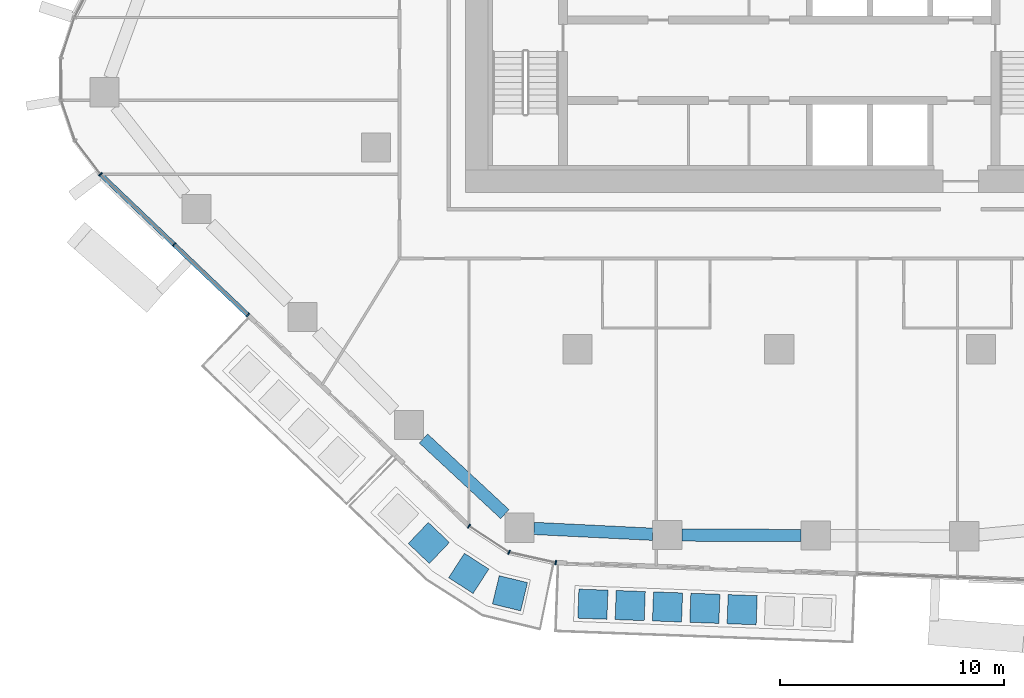
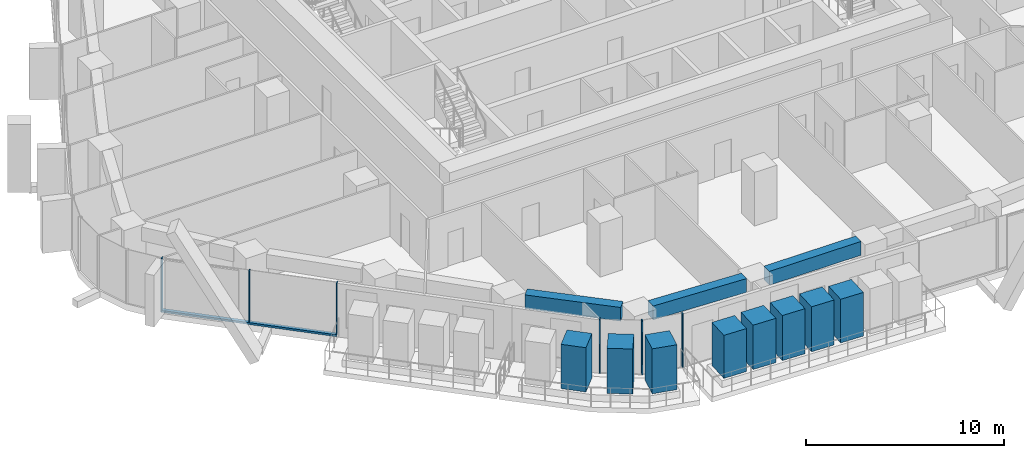
# One storey, part 2 of 24: 15 members, 3 beams, 3 elements without a shape of their own.
"""IFC4 building model written with IfcOpenShell, lengths in metres."""

from ifc_helpers import new_model, si_unit, direction, frame, origin, origin_2d, place, context, subcontext, project, spatial, rectangle, extrude, material, layer, layer_set, material_profile, profile_set, type_object, element, aggregate, save


model = new_model("IFC4")

# Units and contexts
model_context = context("Model", 3, precision=1e-05, world=origin(), true_north=direction((0.0, 1.0)))
body_context = subcontext(model_context, "Body", "Model", "MODEL_VIEW")
ifc_project = project(units=[si_unit("LENGTHUNIT", "METRE"), si_unit("AREAUNIT", "SQUARE_METRE"), si_unit("VOLUMEUNIT", "CUBIC_METRE"), si_unit("PLANEANGLEUNIT", "RADIAN"), si_unit("MASSUNIT", "GRAM", prefix="KILO")], contexts=[model_context])

# Site, building, storey
site_placement = place(None, origin())
site = spatial("IfcSite", under=ifc_project, at=site_placement, CompositionType="ELEMENT")
building_placement = place(site_placement, origin())
building = spatial("IfcBuilding", under=site, at=building_placement, Name="Dongbaek Canopy Tower", CompositionType="ELEMENT")
storey_placement = place(building_placement, frame((0.0, 0.0, 113.699951171875)))
storey = spatial("IfcBuildingStorey", under=building, at=storey_placement, Name="L24", CompositionType="ELEMENT", Elevation=113.699951171875)

# Curtain wall, member
ifc_material_1 = material(Name="Aluminium 6063-T6 pale anodised", Category="aluminium")
ifc_layer = layer(ifc_material_1, 0.199951171875)
ifc_layer_set = layer_set([ifc_layer], Name="CW-1 unitised tower curtain wall")
curtain_wall_type = type_object("IfcCurtainWallType", Name="CW-1 unitised tower curtain wall", PredefinedType="NOTDEFINED", material=ifc_layer_set)
curtain_wall_1_placement = place(storey_placement, origin())
curtain_wall_1 = element("IfcCurtainWall", 1, at=curtain_wall_1_placement, inside=storey, type_object=curtain_wall_type, Name="CW-1 curtain wall K3.1", PredefinedType="NOTDEFINED")
ifc_material_2 = material(Name="Aluminium 6063-T6 pale anodised", Category="aluminium")
ifc_material_profile_1 = material_profile(ifc_material_2, rectangle(XDim=0.199951171875, YDim=0.06005859375, at=origin_2d()), Name="CW-1 mullion 60 x 200")
ifc_profile_set_1 = profile_set([ifc_material_profile_1], Name="Aluminium 6063-T6 pale anodised")
member_type_1 = type_object("IfcMemberType", Name="CW-1 mullion 60 x 200", PredefinedType="MULLION", material=ifc_profile_set_1)
member_1_placement = place(storey_placement, frame((-30.297119140625, -10.1904296875, 0.0), z_axis=(0.0, 0.0, 1.0), x_axis=(-0.797481377097, -0.603343561483, 0.0)))
member_1 = element("IfcMember", 2, at=member_1_placement, type_object=member_type_1, Name="CW-1 mullion K3.1.5", PredefinedType="MULLION", context=body_context, shape_type="SweptSolid", body=[
    extrude(rectangle(XDim=0.199951171875, YDim=0.06005859375, at=origin_2d()), origin(), (0.0, 0.0, 1.0), 3.300048828125),
])
aggregate(curtain_wall_1, [member_1])

# Curtain wall, members
curtain_wall_2_placement = place(storey_placement, origin())
curtain_wall_2 = element("IfcCurtainWall", 3, at=curtain_wall_2_placement, inside=storey, type_object=curtain_wall_type, Name="CW-1 curtain wall F3.1", PredefinedType="NOTDEFINED")
member_2_placement = place(storey_placement, frame((-27.010498046875, -13.327880859375, 0.1201171875), z_axis=(0.0, 0.0, 1.0), x_axis=(-0.690482477156, -0.723349119541, 0.0)))
member_2 = element("IfcMember", 4, at=member_2_placement, type_object=member_type_1, Name="CW-1 mullion F3.1.2", PredefinedType="MULLION", context=body_context, shape_type="SweptSolid", body=[
    extrude(rectangle(XDim=0.199951171875, YDim=0.06005859375, at=origin_2d()), origin(), (0.0, 0.0, 1.0), 3.179931640625),
])
member_3_placement = place(storey_placement, frame((-23.718017578125, -16.470703125, 0.1201171875), z_axis=(0.0, 0.0, 1.0), x_axis=(-0.690482477156, -0.723349119541, 0.0)))
member_3 = element("IfcMember", 5, at=member_3_placement, type_object=member_type_1, Name="CW-1 mullion F3.1.3", PredefinedType="MULLION", context=body_context, shape_type="SweptSolid", body=[
    extrude(rectangle(XDim=0.199951171875, YDim=0.06005859375, at=origin_2d()), origin(), (0.0, 0.0, 1.0), 3.179931640625),
])

curtain_wall_3_placement = place(storey_placement, origin())
curtain_wall_3 = element("IfcCurtainWall", 6, at=curtain_wall_3_placement, inside=storey, type_object=curtain_wall_type, Name="CW-1 curtain wall K4.1", PredefinedType="NOTDEFINED")
member_4_placement = place(storey_placement, frame((-13.847412109375, -25.892822265625, 0.0), z_axis=(0.0, 0.0, 1.0), x_axis=(-0.548723978581, -0.836003585716, 0.0)))
member_4 = element("IfcMember", 7, at=member_4_placement, type_object=member_type_1, Name="CW-1 mullion K4.1.1", PredefinedType="MULLION", context=body_context, shape_type="SweptSolid", body=[
    extrude(rectangle(XDim=0.199951171875, YDim=0.06005859375, at=origin_2d()), origin(), (0.0, 0.0, 1.0), 3.300048828125),
])
member_5_placement = place(storey_placement, frame((-12.061279296875, -27.065185546875, 0.0), z_axis=(0.0, 0.0, 1.0), x_axis=(-0.388974740933, -0.921248419763, 0.0)))
member_5 = element("IfcMember", 8, at=member_5_placement, type_object=member_type_1, Name="CW-1 mullion K4.1.2", PredefinedType="MULLION", context=body_context, shape_type="SweptSolid", body=[
    extrude(rectangle(XDim=0.199951171875, YDim=0.06005859375, at=origin_2d()), origin(), (0.0, 0.0, 1.0), 3.300048828125),
])
member_6_placement = place(storey_placement, frame((-9.975341796875, -27.52783203125, 0.0), z_axis=(0.0, 0.0, 1.0), x_axis=(-0.216472382683, -0.976288741887, 0.0)))
member_6 = element("IfcMember", 9, at=member_6_placement, type_object=member_type_1, Name="CW-1 mullion K4.1.3", PredefinedType="MULLION", context=body_context, shape_type="SweptSolid", body=[
    extrude(rectangle(XDim=0.199951171875, YDim=0.06005859375, at=origin_2d()), origin(), (0.0, 0.0, 1.0), 3.300048828125),
])
aggregate(curtain_wall_3, [member_4, member_5, member_6])

# Member
ifc_material_3 = material(Name="Aluminium 6063-T6 pale anodised", Category="aluminium")
ifc_material_profile_2 = material_profile(ifc_material_3, rectangle(XDim=0.199951171875, YDim=0.1201171875, at=origin_2d()), Name="CW-1 transom 120 x 200")
ifc_profile_set_2 = profile_set([ifc_material_profile_2], Name="Aluminium 6063-T6 pale anodised")
member_type_2 = type_object("IfcMemberType", Name="CW-1 transom 120 x 200", PredefinedType="USERDEFINED", material=ifc_profile_set_2)
member_7_placement = place(storey_placement, frame((-30.297119140625, -10.1904296875, 0.06005859375), z_axis=(0.723343356225, -0.690488514752, 0.0), x_axis=(0.690488514752, 0.723343356225, 0.0)))
member_7 = element("IfcMember", 10, at=member_7_placement, type_object=member_type_2, Name="CW-1 transom F3.1.1", ObjectType="TRANSOM", PredefinedType="USERDEFINED", context=body_context, shape_type="SweptSolid", body=[
    extrude(rectangle(XDim=0.199951171875, YDim=0.1201171875, at=origin_2d()), origin(), (0.0, 0.0, 1.0), 9.095458984375),
])

aggregate(curtain_wall_2, [member_2, member_3, member_7])

# Beams
ifc_material_4 = material(Name="Concrete C80", Category="concrete")
ifc_material_profile_3 = material_profile(ifc_material_4, rectangle(XDim=0.550048828125, YDim=0.85009765625, at=origin_2d()), Name="RC EDGE BEAM 550x850 C80")
ifc_profile_set_3 = profile_set([ifc_material_profile_3], Name="Concrete C80")
beam_type = type_object("IfcBeamType", Name="RC EDGE BEAM 550x850 C80", PredefinedType="BEAM", material=ifc_profile_set_3)
beam_1_placement = place(storey_placement, frame((0.97900390625, -26.316162109375, 2.875), z_axis=(-0.999990328846, 0.004397978357, 0.0), x_axis=(-0.004397978357, -0.999990328846, 0.0)))
element("IfcBeam", 11, at=beam_1_placement, inside=storey, type_object=beam_type, Name="EDGEBEAM:L24:02", PredefinedType="BEAM", context=body_context, shape_type="SweptSolid", body=[
    extrude(rectangle(XDim=0.550048828125, YDim=0.85009765625, at=origin_2d()), origin(), (0.0, 0.0, 1.0), 5.3291015625),
])
beam_2_placement = place(storey_placement, frame((-5.64990234375, -26.258056640625, 2.875), z_axis=(-0.998796128786, 0.049053981722, 0.0), x_axis=(-0.049053981722, -0.998796128786, 0.0)))
element("IfcBeam", 12, at=beam_2_placement, inside=storey, type_object=beam_type, Name="EDGEBEAM:L24:03", PredefinedType="BEAM", context=body_context, shape_type="SweptSolid", body=[
    extrude(rectangle(XDim=0.550048828125, YDim=0.85009765625, at=origin_2d()), origin(), (0.0, 0.0, 1.0), 5.305419921875),
])
beam_3_placement = place(storey_placement, frame((-12.2490234375, -25.361328125, 2.875), z_axis=(-0.732272884801, 0.681011323097, 0.0), x_axis=(-0.681011323097, -0.732272884801, 0.0)))
element("IfcBeam", 13, at=beam_3_placement, inside=storey, type_object=beam_type, Name="EDGEBEAM:L24:04", PredefinedType="BEAM", context=body_context, shape_type="SweptSolid", body=[
    extrude(rectangle(XDim=0.550048828125, YDim=0.85009765625, at=origin_2d()), origin(), (0.0, 0.0, 1.0), 4.962646484375),
])

# Members
ifc_material_5 = material(Name="Concrete C40/50 planter mass with planting", Category="concrete")
ifc_material_profile_4 = material_profile(ifc_material_5, rectangle(XDim=1.300048828125, YDim=1.300048828125, at=origin_2d()), Name="Terrace PLANTER shrub mass 1300 x 1300")
ifc_profile_set_4 = profile_set([ifc_material_profile_4], Name="Concrete C40/50 planter mass with planting")
member_type_3 = type_object("IfcMemberType", Name="Terrace PLANTER shrub mass 1300 x 1300", PredefinedType="USERDEFINED", material=ifc_profile_set_4)
member_8_placement = place(storey_placement, frame((-15.641357421875, -26.647705078125, 0.420166015625), z_axis=(0.0, 0.0, 1.0), x_axis=(-0.689144208119, -0.724624220142, 0.0)))
element("IfcMember", 14, at=member_8_placement, inside=storey, type_object=member_type_3, Name="Planter shrubs L24 8.2", ObjectType="PLANTER", PredefinedType="USERDEFINED", context=body_context, shape_type="SweptSolid", body=[
    extrude(rectangle(XDim=1.300048828125, YDim=1.300048828125, at=origin_2d()), origin(), (0.0, 0.0, 1.0), 2.72998046875),
])
member_9_placement = place(storey_placement, frame((-13.859619140625, -28.005126953125, 0.420166015625), z_axis=(0.0, 0.0, 1.0), x_axis=(-0.542085669157, -0.840323227868, 0.0)))
element("IfcMember", 15, at=member_9_placement, inside=storey, type_object=member_type_3, Name="Planter shrubs L24 8.3", ObjectType="PLANTER", PredefinedType="USERDEFINED", context=body_context, shape_type="SweptSolid", body=[
    extrude(rectangle(XDim=1.300048828125, YDim=1.300048828125, at=origin_2d()), origin(), (0.0, 0.0, 1.0), 2.77978515625),
])
member_10_placement = place(storey_placement, frame((-12.019775390625, -28.893798828125, 0.420166015625), z_axis=(0.0, 0.0, 1.0), x_axis=(-0.234243471434, -0.972177965236, 0.0)))
element("IfcMember", 16, at=member_10_placement, inside=storey, type_object=member_type_3, Name="Planter shrubs L24 8.4", ObjectType="PLANTER", PredefinedType="USERDEFINED", context=body_context, shape_type="SweptSolid", body=[
    extrude(rectangle(XDim=1.300048828125, YDim=1.300048828125, at=origin_2d()), origin(), (0.0, 0.0, 1.0), 2.769775390625),
])
member_11_placement = place(storey_placement, frame((-8.318115234375, -29.380126953125, 0.420166015625), z_axis=(0.0, 0.0, 1.0), x_axis=(-0.036872652499, -0.99931997253, 0.0)))
element("IfcMember", 17, at=member_11_placement, inside=storey, type_object=member_type_3, Name="Planter shrubs L24 4.1", ObjectType="PLANTER", PredefinedType="USERDEFINED", context=body_context, shape_type="SweptSolid", body=[
    extrude(rectangle(XDim=1.300048828125, YDim=1.300048828125, at=origin_2d()), origin(), (0.0, 0.0, 1.0), 2.64990234375),
])
member_12_placement = place(storey_placement, frame((-6.652099609375, -29.441650390625, 0.420166015625), z_axis=(0.0, 0.0, 1.0), x_axis=(-0.036872652499, -0.99931997253, 0.0)))
element("IfcMember", 18, at=member_12_placement, inside=storey, type_object=member_type_3, Name="Planter shrubs L24 4.2", ObjectType="PLANTER", PredefinedType="USERDEFINED", context=body_context, shape_type="SweptSolid", body=[
    extrude(rectangle(XDim=1.300048828125, YDim=1.300048828125, at=origin_2d()), origin(), (0.0, 0.0, 1.0), 2.72998046875),
])
member_13_placement = place(storey_placement, frame((-4.986328125, -29.5029296875, 0.420166015625), z_axis=(0.0, 0.0, 1.0), x_axis=(-0.036872652499, -0.99931997253, 0.0)))
element("IfcMember", 19, at=member_13_placement, inside=storey, type_object=member_type_3, Name="Planter shrubs L24 4.3", ObjectType="PLANTER", PredefinedType="USERDEFINED", context=body_context, shape_type="SweptSolid", body=[
    extrude(rectangle(XDim=1.300048828125, YDim=1.300048828125, at=origin_2d()), origin(), (0.0, 0.0, 1.0), 2.77978515625),
])
member_14_placement = place(storey_placement, frame((-3.3203125, -29.564453125, 0.420166015625), z_axis=(0.0, 0.0, 1.0), x_axis=(-0.036872652499, -0.99931997253, 0.0)))
element("IfcMember", 20, at=member_14_placement, inside=storey, type_object=member_type_3, Name="Planter shrubs L24 4.4", ObjectType="PLANTER", PredefinedType="USERDEFINED", context=body_context, shape_type="SweptSolid", body=[
    extrude(rectangle(XDim=1.300048828125, YDim=1.300048828125, at=origin_2d()), origin(), (0.0, 0.0, 1.0), 2.769775390625),
])
member_15_placement = place(storey_placement, frame((-1.654296875, -29.6259765625, 0.420166015625), z_axis=(0.0, 0.0, 1.0), x_axis=(-0.036872652499, -0.99931997253, 0.0)))
element("IfcMember", 21, at=member_15_placement, inside=storey, type_object=member_type_3, Name="Planter shrubs L24 4.5", ObjectType="PLANTER", PredefinedType="USERDEFINED", context=body_context, shape_type="SweptSolid", body=[
    extrude(rectangle(XDim=1.300048828125, YDim=1.300048828125, at=origin_2d()), origin(), (0.0, 0.0, 1.0), 2.68994140625),
])

save(model, "model.ifc")
